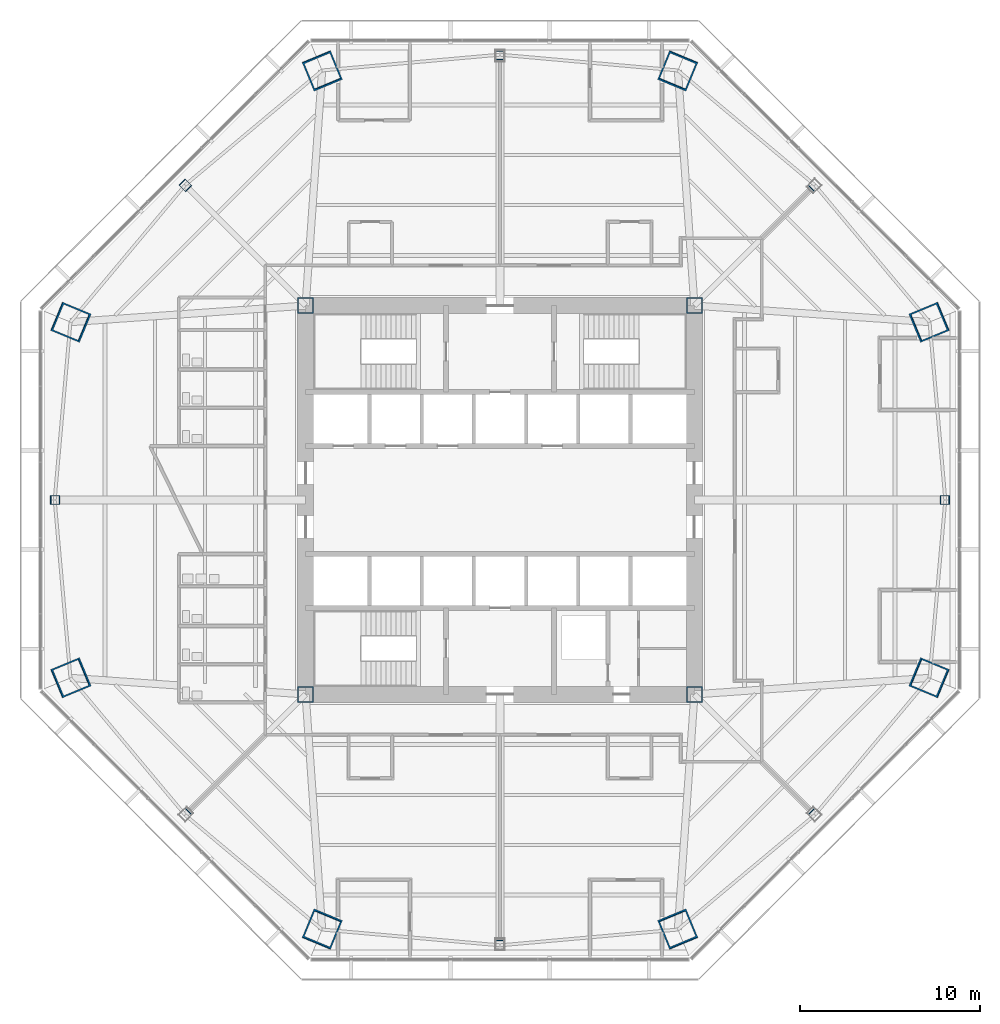
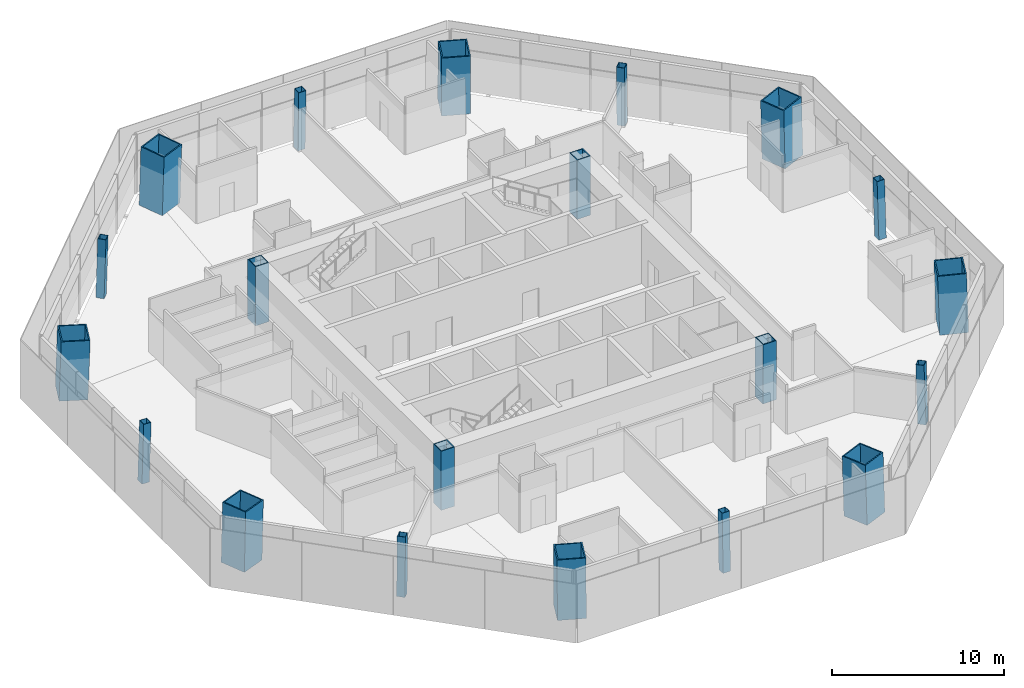
# One storey, part 1 of 17: 20 columns.
"""IFC4 building model written with IfcOpenShell, lengths in metres."""

from ifc_helpers import new_model, si_unit, direction, frame, origin, origin_2d, place, context, subcontext, project, spatial, hollow_rectangle, extrude, material, material_profile, profile_set, type_object, element, save


model = new_model("IFC4")

# Units and contexts
model_context = context("Model", 3, precision=1e-05, world=origin(), true_north=direction((0.0, 1.0)))
body_context = subcontext(model_context, "Body", "Model", "MODEL_VIEW")
ifc_project = project(units=[si_unit("LENGTHUNIT", "METRE"), si_unit("AREAUNIT", "SQUARE_METRE"), si_unit("VOLUMEUNIT", "CUBIC_METRE"), si_unit("PLANEANGLEUNIT", "RADIAN"), si_unit("MASSUNIT", "GRAM", prefix="KILO")], contexts=[model_context])

# Site, building, storey
site_placement = place(None, origin())
site = spatial("IfcSite", under=ifc_project, at=site_placement, CompositionType="ELEMENT")
building_placement = place(site_placement, origin())
building = spatial("IfcBuilding", under=site, at=building_placement, Name="Mashrafa Tower", CompositionType="ELEMENT")
storey_placement = place(building_placement, frame((0.0, 0.0, 87.60009765625)))
storey = spatial("IfcBuildingStorey", under=building, at=storey_placement, Name="L19", CompositionType="ELEMENT", Elevation=87.60009765625)

# Columns
ifc_material_1 = material(Name="Steel ASTM A572 Gr 50", Category="steel")
ifc_material_profile_1 = material_profile(ifc_material_1, hollow_rectangle(XDim=0.89990234375, YDim=0.89990234375, WallThickness=0.06005859375, at=origin_2d()), Name="BOX900X900X60")
ifc_profile_set_1 = profile_set([ifc_material_profile_1], Name="Steel ASTM A572 Gr 50")
column_type_1 = type_object("IfcColumnType", Name="Core corner column BOX900X900X60", PredefinedType="COLUMN", material=ifc_profile_set_1)
for number, where, z_axis, x_axis, name in (
    (1, (10.800048828125, 10.800048828125, 0.0), (0.0, 0.0, 1.0), (1.0, 0.0, 0.0), "Core corner column CC-NE L19"),
    (2, (-10.800048828125, 10.800048828125, 0.0), (0.0, 0.0, 1.0), (1.0, 0.0, 0.0), "Core corner column CC-NW L19"),
    (3, (-10.800048828125, -10.800048828125, 0.0), (0.0, 0.0, 1.0), (1.0, 0.0, 0.0), "Core corner column CC-SW L19"),
    (4, (10.800048828125, -10.800048828125, 0.0), (0.0, 0.0, 1.0), (1.0, 0.0, 0.0), "Core corner column CC-SE L19"),
):
    element("IfcColumn", number, at=place(storey_placement, frame(where, z_axis=z_axis, x_axis=x_axis)), inside=storey, type_object=column_type_1, Name=name, PredefinedType="COLUMN", context=body_context, shape_type="SweptSolid", body=[
        extrude(hollow_rectangle(XDim=0.89990234375, YDim=0.89990234375, WallThickness=0.06005859375, at=origin_2d()), origin(), (0.0, 0.0, 1.0), 4.199951171875),
    ])
ifc_material_2 = material(Name="Steel ASTM A572 Gr 50", Category="steel")
ifc_material_profile_2 = material_profile(ifc_material_2, hollow_rectangle(XDim=1.699951171875, YDim=1.699951171875, WallThickness=0.080078125, at=origin_2d()), Name="BOX1700X1700X80")
ifc_profile_set_2 = profile_set([ifc_material_profile_2], Name="Steel ASTM A572 Gr 50")
column_type_2 = type_object("IfcColumnType", Name="Mega column CFST BOX1700X1700X80", PredefinedType="COLUMN", material=ifc_profile_set_2)
for number, where, z_axis, x_axis, name in (
    (5, (23.8583984375, 9.882568359375, 0.0), (-0.028295730207, -0.011736627314, 0.99953069149), (0.383133442967, -0.923693003589, 0.0), "Mega column MC1 L19"),
    (6, (9.882568359375, 23.8583984375, 0.0), (-0.011736627314, -0.028295730207, 0.99953069149), (0.923693003589, -0.383133442967, 0.0), "Mega column MC2 L19"),
    (7, (-9.882568359375, 23.8583984375, 0.0), (0.011736627314, -0.028295730207, 0.99953069149), (0.923693003589, 0.383133442967, 0.0), "Mega column MC3 L19"),
    (8, (-23.8583984375, 9.882568359375, 0.0), (0.028295730207, -0.011736627314, 0.99953069149), (0.383133442967, 0.923693003589, 0.0), "Mega column MC4 L19"),
    (9, (-23.8583984375, -9.882568359375, 0.0), (0.028295730207, 0.011736627314, 0.99953069149), (-0.383133442967, 0.923693003589, 0.0), "Mega column MC5 L19"),
    (10, (-9.882568359375, -23.8583984375, 0.0), (0.011736627314, 0.028295730207, 0.99953069149), (-0.923693003589, 0.383133442967, 0.0), "Mega column MC6 L19"),
    (11, (9.882568359375, -23.8583984375, 0.0), (-0.011736627314, 0.028295730207, 0.99953069149), (-0.923693003589, -0.383133442967, 0.0), "Mega column MC7 L19"),
    (12, (23.8583984375, -9.882568359375, 0.0), (-0.028295730207, 0.011736627314, 0.99953069149), (-0.383133442967, -0.923693003589, 0.0), "Mega column MC8 L19"),
):
    element("IfcColumn", number, at=place(storey_placement, frame(where, z_axis=z_axis, x_axis=x_axis)), inside=storey, type_object=column_type_2, Name=name, PredefinedType="COLUMN", context=body_context, shape_type="SweptSolid", body=[
        extrude(hollow_rectangle(XDim=1.699951171875, YDim=1.699951171875, WallThickness=0.080078125, at=origin_2d()), origin(), (0.0, 0.0, 1.0), 4.201904296875),
    ])
ifc_material_3 = material(Name="Steel ASTM A572 Gr 50", Category="steel")
ifc_material_profile_3 = material_profile(ifc_material_3, hollow_rectangle(XDim=0.5, YDim=0.5, WallThickness=0.02490234375, at=origin_2d()), Name="BOX500X500X25")
ifc_profile_set_3 = profile_set([ifc_material_profile_3], Name="Steel ASTM A572 Gr 50")
column_type_3 = type_object("IfcColumnType", Name="Secondary column BOX500X500X25", PredefinedType="COLUMN", material=ifc_profile_set_3)
for number, where, z_axis, x_axis, name in (
    (13, (24.736572265625, 0.0, 0.0), (-0.028239619523, 0.0, 0.999601182417), (0.0, -1.0, 0.0), "Secondary column SC1 L19"),
    (14, (17.491455078125, 17.491455078125, 0.0), (-0.019988521213, -0.019988521213, 0.999600379171), (0.707106781187, -0.707106781187, 0.0), "Secondary column SC2 L19"),
    (15, (0.0, 24.736572265625, 0.0), (0.0, -0.028239619523, 0.999601182417), (1.0, 0.0, 0.0), "Secondary column SC3 L19"),
    (16, (-17.491455078125, 17.491455078125, 0.0), (0.019988521213, -0.019988521213, 0.999600379171), (0.707106781187, 0.707106781187, 0.0), "Secondary column SC4 L19"),
    (17, (-24.736572265625, 0.0, 0.0), (0.028239619523, 0.0, 0.999601182417), (0.0, 1.0, 0.0), "Secondary column SC5 L19"),
    (18, (-17.491455078125, -17.491455078125, 0.0), (0.019988521213, 0.019988521213, 0.999600379171), (-0.707106781187, 0.707106781187, 0.0), "Secondary column SC6 L19"),
    (19, (0.0, -24.736572265625, 0.0), (0.0, 0.028239619523, 0.999601182417), (-1.0, 0.0, 0.0), "Secondary column SC7 L19"),
    (20, (17.491455078125, -17.491455078125, 0.0), (-0.019988521213, 0.019988521213, 0.999600379171), (-0.707106781187, -0.707106781187, 0.0), "Secondary column SC8 L19"),
):
    element("IfcColumn", number, at=place(storey_placement, frame(where, z_axis=z_axis, x_axis=x_axis)), inside=storey, type_object=column_type_3, Name=name, PredefinedType="COLUMN", context=body_context, shape_type="SweptSolid", body=[
        extrude(hollow_rectangle(XDim=0.5, YDim=0.5, WallThickness=0.02490234375, at=origin_2d()), origin(), (0.0, 0.0, 1.0), 4.20166015625),
    ])

save(model, "model.ifc")
